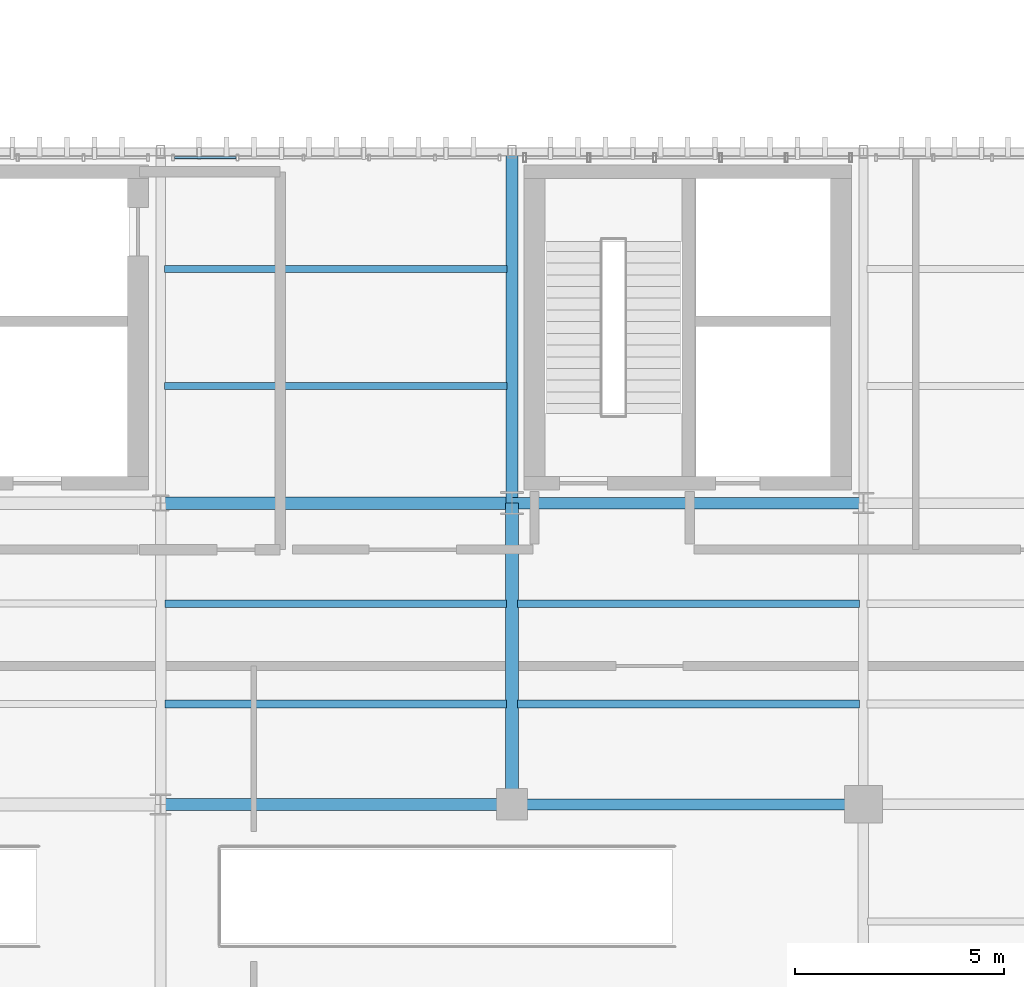
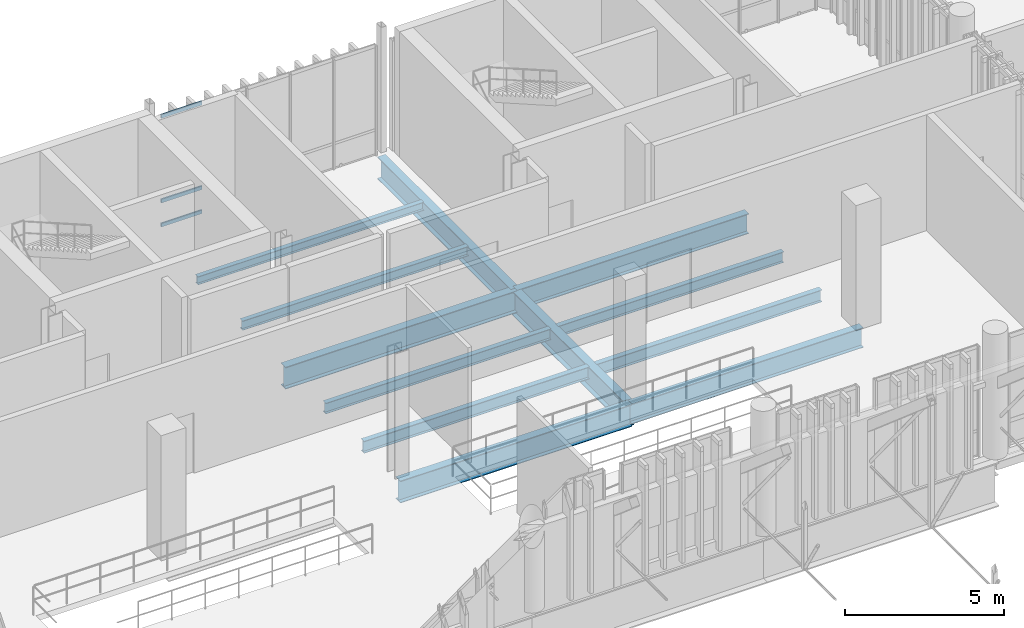
# One storey, part 31 of 109: 12 beams, 3 members, 1 element without a shape of its own.
"""IFC4 building model written with IfcOpenShell, lengths in metres."""

from ifc_helpers import new_model, si_unit, direction, frame, origin_with_axes, origin_2d_with_axis, place, context, subcontext, project, spatial, hollow_rectangle, i_section, extrude, material, material_profile, profile_set, type_object, element, aggregate, save


model = new_model("IFC4")

# Units and contexts
model_context = context("Model", 3, precision=1e-05, world=origin_with_axes(), true_north=direction((0.0, 1.0)))
body_context = subcontext(model_context, "Body", "Model", "MODEL_VIEW")
ifc_project = project(units=[si_unit("LENGTHUNIT", "METRE"), si_unit("AREAUNIT", "SQUARE_METRE"), si_unit("VOLUMEUNIT", "CUBIC_METRE"), si_unit("PLANEANGLEUNIT", "RADIAN"), si_unit("MASSUNIT", "GRAM", prefix="KILO"), si_unit("THERMODYNAMICTEMPERATUREUNIT", "KELVIN")], contexts=[model_context])

# Site, building, storey
site_placement = place(None, origin_with_axes())
site = spatial("IfcSite", under=ifc_project, at=site_placement, CompositionType="ELEMENT")
building_placement = place(site_placement, origin_with_axes())
building = spatial("IfcBuilding", under=site, at=building_placement, Name="Montbau Bow Law Courts", CompositionType="ELEMENT")
storey_placement = place(building_placement, frame((0.0, 0.0, 10.8), z_axis=(0.0, 0.0, 1.0), x_axis=(1.0, 0.0, 0.0)))
storey = spatial("IfcBuildingStorey", under=building, at=storey_placement, Name="L02", CompositionType="ELEMENT", Elevation=10.8)

# Beams
ifc_material_1 = material(Name="Steel CSA G40.21 Grade 350W (350 MPa)", Category="steel")
ifc_material_profile_1 = material_profile(ifc_material_1, i_section(OverallWidth=0.306, OverallDepth=0.919, WebThickness=0.0173, FlangeThickness=0.0279, at=origin_2d_with_axis()), Name="W920X253", Category="Main", Priority=0)
ifc_profile_set_1 = profile_set([ifc_material_profile_1], Name="Steel CSA G40.21 Grade 350W (350 MPa)")
beam_type_1 = type_object("IfcBeamType", Name="B-FLR-01", PredefinedType="BEAM", material=ifc_profile_set_1)
beam_1_placement = place(None, frame((30.6, 39.0, 10.12), z_axis=(0.0, 1.0, 0.0), x_axis=(-1.0, 0.0, 0.0)))
element("IfcBeam", 1, at=beam_1_placement, inside=storey, type_object=beam_type_1, Name="BM-L02-S0574:bm2_0577", PredefinedType="BEAM", context=body_context, shape_type="SweptSolid", body=[
    extrude(i_section(OverallWidth=0.306, OverallDepth=0.919, WebThickness=0.0173, FlangeThickness=0.0279, at=origin_2d_with_axis()), origin_with_axes(), (0.0, 0.0, 1.0), 7.2),
])
ifc_material_profile_2 = material_profile(ifc_material_1, i_section(OverallWidth=0.293, OverallDepth=0.846, WebThickness=0.0154, FlangeThickness=0.0244, at=origin_2d_with_axis()), Name="W840X210", Category="Main", Priority=0)
ifc_profile_set_2 = profile_set([ifc_material_profile_2], Name="Steel CSA G40.21 Grade 350W (350 MPa)")
beam_type_2 = type_object("IfcBeamType", Name="B-FLR-02", PredefinedType="BEAM", material=ifc_profile_set_2)
for number, where, z_axis, x_axis, name in (
    (2, (22.2, 39.0, 10.157), (1.0, 0.0, 0.0), (0.0, 1.0, 0.0), "BM-L02-S0553:bm2_0556"),
    (3, (22.2, 46.2, 10.157), (1.0, 0.0, 0.0), (0.0, 1.0, 0.0), "BM-L02-S0558:bm2_0561"),
    (4, (30.6, 46.2, 10.157), (0.0, 1.0, 0.0), (-1.0, 0.0, 0.0), "BM-L02-S0575:bm2_0578"),
):
    element("IfcBeam", number, at=place(None, frame(where, z_axis=z_axis, x_axis=x_axis)), inside=storey, type_object=beam_type_2, Name=name, PredefinedType="BEAM", context=body_context, shape_type="SweptSolid", body=[
        extrude(i_section(OverallWidth=0.293, OverallDepth=0.846, WebThickness=0.0154, FlangeThickness=0.0244, at=origin_2d_with_axis()), origin_with_axes(), (0.0, 0.0, 1.0), 8.4),
    ])
ifc_material_profile_3 = material_profile(ifc_material_1, i_section(OverallWidth=0.267, OverallDepth=0.766, WebThickness=0.0149, FlangeThickness=0.0236, at=origin_2d_with_axis()), Name="W760X185", Category="Main", Priority=0)
ifc_profile_set_3 = profile_set([ifc_material_profile_3], Name="Steel CSA G40.21 Grade 350W (350 MPa)")
beam_type_3 = type_object("IfcBeamType", Name="B-FLR-03", PredefinedType="BEAM", material=ifc_profile_set_3)
for number, where, z_axis, x_axis, name in (
    (5, (30.6, 39.0, 10.197), (1.0, 0.0, 0.0), (0.0, 1.0, 0.0), "BM-L02-S0554:bm2_0557"),
    (6, (30.6, 46.2, 10.197), (1.0, 0.0, 0.0), (0.0, 1.0, 0.0), "BM-L02-S0559:bm2_0562"),
):
    element("IfcBeam", number, at=place(None, frame(where, z_axis=z_axis, x_axis=x_axis)), inside=storey, type_object=beam_type_3, Name=name, PredefinedType="BEAM", context=body_context, shape_type="SweptSolid", body=[
        extrude(i_section(OverallWidth=0.267, OverallDepth=0.766, WebThickness=0.0149, FlangeThickness=0.0236, at=origin_2d_with_axis()), origin_with_axes(), (0.0, 0.0, 1.0), 8.4),
    ])
ifc_material_profile_4 = material_profile(ifc_material_1, i_section(OverallWidth=0.191, OverallDepth=0.46, WebThickness=0.0099, FlangeThickness=0.016, at=origin_2d_with_axis()), Name="W460X82", Category="Main", Priority=0)
ifc_profile_set_4 = profile_set([ifc_material_profile_4], Name="Steel CSA G40.21 Grade 350W (350 MPa)")
beam_type_4 = type_object("IfcBeamType", Name="B-JST-01", PredefinedType="JOIST", material=ifc_profile_set_4)
beam_2_placement = place(None, frame((22.303, 41.4, 10.35), z_axis=(1.0, 0.0, 0.0), x_axis=(0.0, 1.0, 0.0)))
element("IfcBeam", 7, at=beam_2_placement, inside=storey, type_object=beam_type_4, Name="JST-L02-S0272:jst2_0272", PredefinedType="JOIST", context=body_context, shape_type="SweptSolid", body=[
    extrude(i_section(OverallWidth=0.191, OverallDepth=0.46, WebThickness=0.0099, FlangeThickness=0.016, at=origin_2d_with_axis()), origin_with_axes(), (0.0, 0.0, 1.0), 8.168),
])
beam_3_placement = place(None, frame((30.729, 41.4, 10.35), z_axis=(1.0, 0.0, 0.0), x_axis=(0.0, 1.0, 0.0)))
element("IfcBeam", 8, at=beam_3_placement, inside=storey, type_object=beam_type_4, Name="JST-L02-S0276:jst2_0276", PredefinedType="JOIST", context=body_context, shape_type="SweptSolid", body=[
    extrude(i_section(OverallWidth=0.191, OverallDepth=0.46, WebThickness=0.0099, FlangeThickness=0.016, at=origin_2d_with_axis()), origin_with_axes(), (0.0, 0.0, 1.0), 8.181),
])
ifc_material_profile_5 = material_profile(ifc_material_1, i_section(OverallWidth=0.179, OverallDepth=0.41, WebThickness=0.0088, FlangeThickness=0.0144, at=origin_2d_with_axis()), Name="W410X67", Category="Main", Priority=0)
ifc_profile_set_5 = profile_set([ifc_material_profile_5], Name="Steel CSA G40.21 Grade 350W (350 MPa)")
beam_type_5 = type_object("IfcBeamType", Name="B-JST-02", PredefinedType="JOIST", material=ifc_profile_set_5)
beam_4_placement = place(None, frame((22.303, 43.8, 10.375), z_axis=(1.0, 0.0, 0.0), x_axis=(0.0, 1.0, 0.0)))
element("IfcBeam", 9, at=beam_4_placement, inside=storey, type_object=beam_type_5, Name="JST-L02-S0273:jst2_0273", PredefinedType="JOIST", context=body_context, shape_type="SweptSolid", body=[
    extrude(i_section(OverallWidth=0.179, OverallDepth=0.41, WebThickness=0.0088, FlangeThickness=0.0144, at=origin_2d_with_axis()), origin_with_axes(), (0.0, 0.0, 1.0), 8.168),
])
beam_5_placement = place(None, frame((30.729, 43.8, 10.375), z_axis=(1.0, 0.0, 0.0), x_axis=(0.0, 1.0, 0.0)))
element("IfcBeam", 10, at=beam_5_placement, inside=storey, type_object=beam_type_5, Name="JST-L02-S0277:jst2_0277", PredefinedType="JOIST", context=body_context, shape_type="SweptSolid", body=[
    extrude(i_section(OverallWidth=0.179, OverallDepth=0.41, WebThickness=0.0088, FlangeThickness=0.0144, at=origin_2d_with_axis()), origin_with_axes(), (0.0, 0.0, 1.0), 8.181),
])
ifc_material_profile_6 = material_profile(ifc_material_1, i_section(OverallWidth=0.172, OverallDepth=0.358, WebThickness=0.0079, FlangeThickness=0.0131, at=origin_2d_with_axis()), Name="W360X57", Category="Main", Priority=0)
ifc_profile_set_6 = profile_set([ifc_material_profile_6], Name="Steel CSA G40.21 Grade 350W (350 MPa)")
beam_type_6 = type_object("IfcBeamType", Name="B-JST-03", PredefinedType="JOIST", material=ifc_profile_set_6)
beam_6_placement = place(None, frame((22.29, 49.0, 10.401), z_axis=(1.0, 0.0, 0.0), x_axis=(0.0, 1.0, 0.0)))
element("IfcBeam", 11, at=beam_6_placement, inside=storey, type_object=beam_type_6, Name="JST-L02-S0274:jst2_0274", PredefinedType="JOIST", context=body_context, shape_type="SweptSolid", body=[
    extrude(i_section(OverallWidth=0.172, OverallDepth=0.358, WebThickness=0.0079, FlangeThickness=0.0131, at=origin_2d_with_axis()), origin_with_axes(), (0.0, 0.0, 1.0), 8.188),
])
ifc_material_profile_7 = material_profile(ifc_material_1, i_section(OverallWidth=0.166, OverallDepth=0.313, WebThickness=0.0066, FlangeThickness=0.0112, at=origin_2d_with_axis()), Name="W310X45", Category="Main", Priority=0)
ifc_profile_set_7 = profile_set([ifc_material_profile_7], Name="Steel CSA G40.21 Grade 350W (350 MPa)")
beam_type_7 = type_object("IfcBeamType", Name="B-JST-04", PredefinedType="JOIST", material=ifc_profile_set_7)
beam_7_placement = place(None, frame((22.29, 51.8, 10.424), z_axis=(1.0, 0.0, 0.0), x_axis=(0.0, 1.0, 0.0)))
element("IfcBeam", 12, at=beam_7_placement, inside=storey, type_object=beam_type_7, Name="JST-L02-S0275:jst2_0275", PredefinedType="JOIST", context=body_context, shape_type="SweptSolid", body=[
    extrude(i_section(OverallWidth=0.166, OverallDepth=0.313, WebThickness=0.0066, FlangeThickness=0.0112, at=origin_2d_with_axis()), origin_with_axes(), (0.0, 0.0, 1.0), 8.188),
])

# Curtain wall, members
ifc_material_2 = material(Name="Thermally Broken Extruded Aluminium AA 6063-T6", Category="aluminium")
curtain_wall_type = type_object("IfcCurtainWallType", Name="CW-TRC-01", PredefinedType="NOTDEFINED", material=ifc_material_2)
curtain_wall_placement = place(None, frame((22.467, 54.46, 10.8), z_axis=(0.0, 0.0, 1.0), x_axis=(1.0, 0.0, 0.0)))
curtain_wall = element("IfcCurtainWall", 13, at=curtain_wall_placement, inside=storey, type_object=curtain_wall_type, Name="CW-L02-041:cw_0041", PredefinedType="NOTDEFINED")
ifc_material_profile_8 = material_profile(ifc_material_2, hollow_rectangle(XDim=0.055, YDim=0.14, WallThickness=0.004, InnerFilletRadius=0.008, OuterFilletRadius=0.004, at=origin_2d_with_axis()), Name="CWT-140X55", Category="Main", Priority=0)
ifc_profile_set_8 = profile_set([ifc_material_profile_8], Name="Thermally Broken Extruded Aluminium AA 6063-T6")
member_type = type_object("IfcMemberType", Name="M-TRN-02", PredefinedType="USERDEFINED", material=ifc_profile_set_8)
member_1_placement = place(None, frame((22.529, 54.46, 10.828), z_axis=(1.0, 0.0, 0.0), x_axis=(0.0, 1.0, 0.0)))
member_1 = element("IfcMember", 14, at=member_1_placement, type_object=member_type, Name="CW-L02-041-T01-1:cw_0041_T01_1", ObjectType="TRANSOM", PredefinedType="USERDEFINED", context=body_context, shape_type="SweptSolid", body=[
    extrude(hollow_rectangle(XDim=0.055, YDim=0.14, WallThickness=0.004, InnerFilletRadius=0.008, OuterFilletRadius=0.004, at=origin_2d_with_axis()), origin_with_axes(), (0.0, 0.0, 1.0), 1.479),
])
member_2_placement = place(None, frame((22.529, 54.46, 11.75), z_axis=(1.0, 0.0, 0.0), x_axis=(0.0, 1.0, 0.0)))
member_2 = element("IfcMember", 15, at=member_2_placement, type_object=member_type, Name="CW-L02-041-T01-2:cw_0041_T01_2", ObjectType="TRANSOM", PredefinedType="USERDEFINED", context=body_context, shape_type="SweptSolid", body=[
    extrude(hollow_rectangle(XDim=0.055, YDim=0.14, WallThickness=0.004, InnerFilletRadius=0.008, OuterFilletRadius=0.004, at=origin_2d_with_axis()), origin_with_axes(), (0.0, 0.0, 1.0), 1.479),
])
member_3_placement = place(None, frame((22.529, 54.46, 14.992), z_axis=(1.0, 0.0, 0.0), x_axis=(0.0, 1.0, 0.0)))
member_3 = element("IfcMember", 16, at=member_3_placement, type_object=member_type, Name="CW-L02-041-T01-3:cw_0041_T01_3", ObjectType="TRANSOM", PredefinedType="USERDEFINED", context=body_context, shape_type="SweptSolid", body=[
    extrude(hollow_rectangle(XDim=0.055, YDim=0.14, WallThickness=0.004, InnerFilletRadius=0.008, OuterFilletRadius=0.004, at=origin_2d_with_axis()), origin_with_axes(), (0.0, 0.0, 1.0), 1.479),
])
aggregate(curtain_wall, [member_1, member_2, member_3])

save(model, "model.ifc")
